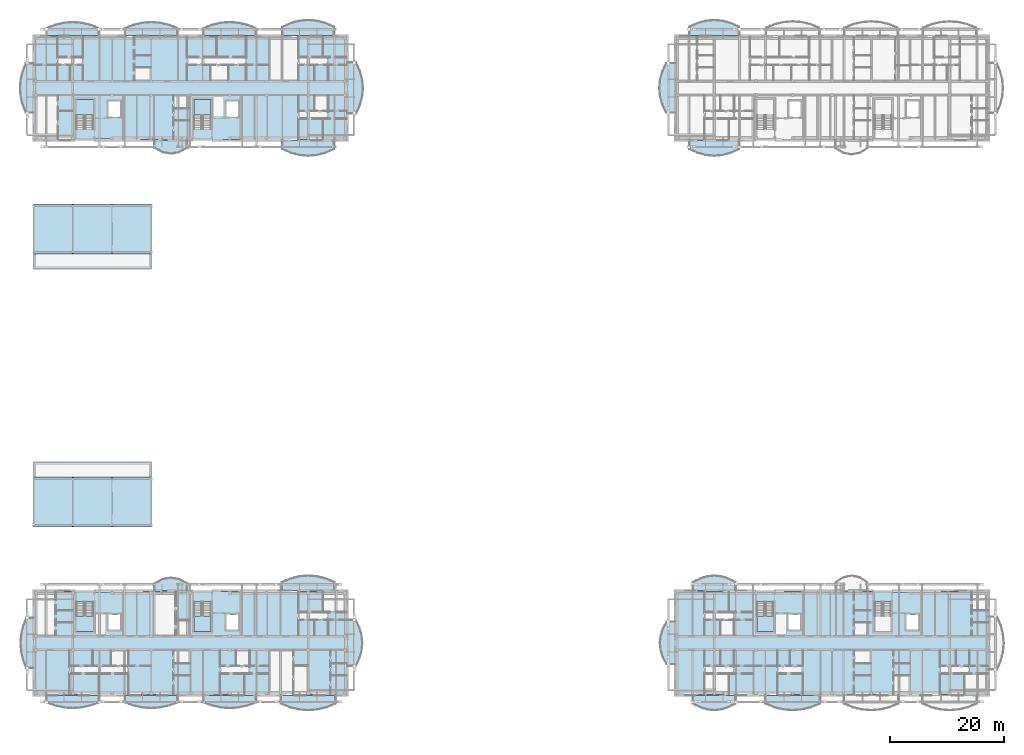
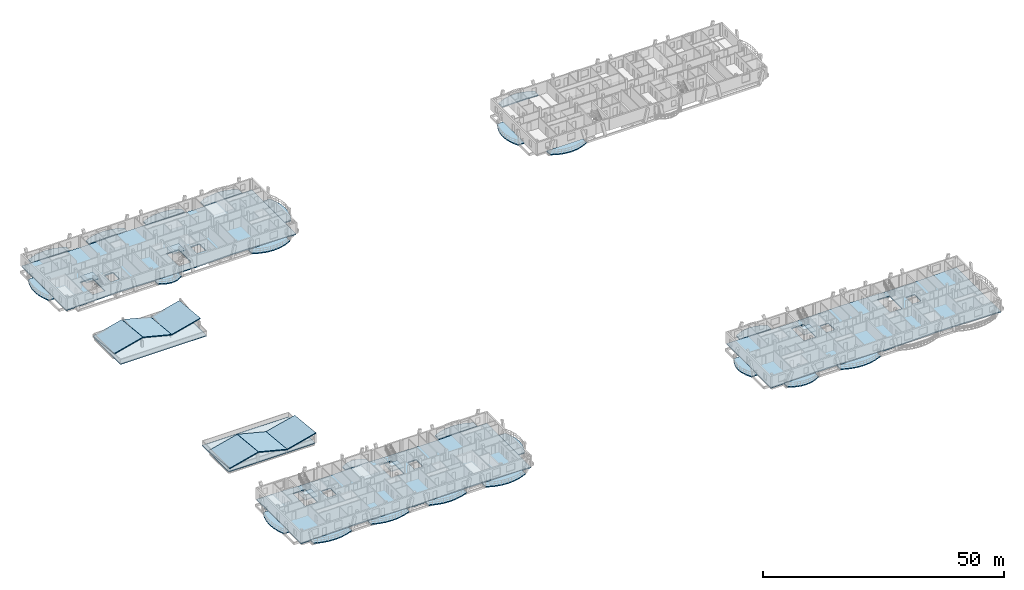
# One storey, part 9 of 50: 39 slabs, 5 elements without a shape of their own.
"""IFC4 building model written with IfcOpenShell, lengths in metres."""

from ifc_helpers import new_model, si_unit, direction, frame, origin, place, context, subcontext, project, spatial, polyline, outline, extrude, material, layer, layer_set, type_object, element, aggregate, save


model = new_model("IFC4")

# Units and contexts
model_context = context("Model", 3, precision=1e-05, world=origin(), true_north=direction((0.0, 1.0)))
body_context = subcontext(model_context, "Body", "Model", "MODEL_VIEW")
ifc_project = project(units=[si_unit("LENGTHUNIT", "METRE"), si_unit("AREAUNIT", "SQUARE_METRE"), si_unit("VOLUMEUNIT", "CUBIC_METRE"), si_unit("PLANEANGLEUNIT", "RADIAN"), si_unit("MASSUNIT", "GRAM", prefix="KILO")], contexts=[model_context])

# Site, building, storey
site_placement = place(None, origin())
site = spatial("IfcSite", under=ifc_project, at=site_placement, CompositionType="ELEMENT")
building_placement = place(site_placement, origin())
building = spatial("IfcBuilding", under=site, at=building_placement, Name="Zavelmont Quarter", CompositionType="ELEMENT")
storey_placement = place(building_placement, frame((0.0, 0.0, 11.199951171875)))
storey = spatial("IfcBuildingStorey", under=building, at=storey_placement, Name="L03", CompositionType="ELEMENT", Elevation=11.199951171875)

# Slabs
ifc_material_1 = material(Name="White architectural precast concrete C40/50", Category="concrete")
ifc_layer_1 = layer(ifc_material_1, 0.235107421875)
ifc_layer_set_1 = layer_set([ifc_layer_1], Name="White architectural precast concrete C40/50")
slab_type_1 = type_object("IfcSlabType", Name="SL-BL180", PredefinedType="FLOOR", material=ifc_layer_set_1)
slab_1_placement = place(storey_placement, frame((0.0, 0.0, -0.23486328125)))
element("IfcSlab", 1, at=slab_1_placement, inside=storey, type_object=slab_type_1, Name="L03 Block A street vase 2 balcony SL-BL180", PredefinedType="FLOOR", context=body_context, shape_type="SweptSolid", body=[
    extrude(outline(polyline([(16.102783203125, -0.02001953125), (16.102783203125, -1.2666015625), (17.63525390625, -1.819580078125), (19.16748046875, -2.1513671875), (20.699951171875, -2.261962890625), (22.232421875, -2.1513671875), (23.7646484375, -1.819580078125), (25.297119140625, -1.2666015625), (25.297119140625, -0.02001953125), (16.102783203125, -0.02001953125)])), origin(), (0.0, 0.0, 1.0), 0.23486328125),
])
slab_2_placement = place(storey_placement, frame((0.0, 0.0, -0.23486328125)))
element("IfcSlab", 2, at=slab_2_placement, inside=storey, type_object=slab_type_1, Name="L03 Block A boulevard vase balcony SL-BL180", PredefinedType="FLOOR", context=body_context, shape_type="SweptSolid", body=[
    extrude(outline(polyline([(-0.02001953125, 13.5830078125), (-1.2666015625, 13.5830078125), (-1.819580078125, 12.1220703125), (-2.1513671875, 10.660888671875), (-2.261962890625, 9.199951171875), (-2.1513671875, 7.739013671875), (-1.819580078125, 6.278076171875), (-1.2666015625, 4.81689453125), (-0.02001953125, 4.81689453125), (-0.02001953125, 13.5830078125)])), origin(), (0.0, 0.0, 1.0), 0.23486328125),
])
slab_3_placement = place(storey_placement, frame((0.0, 0.0, -0.23486328125)))
element("IfcSlab", 3, at=slab_3_placement, inside=storey, type_object=slab_type_1, Name="L03 Block B street vase 2 balcony SL-BL180", PredefinedType="FLOOR", context=body_context, shape_type="SweptSolid", body=[
    extrude(outline(polyline([(25.272705078125, 116.02001953125), (25.272705078125, 117.326171875), (23.74853515625, 117.90478515625), (22.22412109375, 118.252197265625), (20.699951171875, 118.367919921875), (19.17578125, 118.252197265625), (17.651611328125, 117.90478515625), (16.127197265625, 117.326171875), (16.127197265625, 116.02001953125), (25.272705078125, 116.02001953125)])), origin(), (0.0, 0.0, 1.0), 0.23486328125),
])
slab_4_placement = place(storey_placement, frame((0.0, 0.0, -0.23486328125)))
element("IfcSlab", 4, at=slab_4_placement, inside=storey, type_object=slab_type_1, Name="L03 Block B boulevard vase balcony SL-BL180", PredefinedType="FLOOR", context=body_context, shape_type="SweptSolid", body=[
    extrude(outline(polyline([(-0.02001953125, 111.130615234375), (-1.326171875, 111.130615234375), (-1.90478515625, 109.68701171875), (-2.252197265625, 108.243408203125), (-2.367919921875, 106.800048828125), (-2.252197265625, 105.3564453125), (-1.90478515625, 103.9130859375), (-1.326171875, 102.469482421875), (-0.02001953125, 102.469482421875), (-0.02001953125, 111.130615234375)])), origin(), (0.0, 0.0, 1.0), 0.23486328125),
])
slab_5_placement = place(storey_placement, frame((0.0, 0.0, -0.23486328125)))
element("IfcSlab", 5, at=slab_5_placement, inside=storey, type_object=slab_type_1, Name="L03 Block D street vase 2 balcony SL-BL180", PredefinedType="FLOOR", context=body_context, shape_type="SweptSolid", body=[
    extrude(outline(polyline([(128.707763671875, -0.02001953125), (128.707763671875, -1.473876953125), (130.30517578125, -2.1171875), (131.902587890625, -2.50341796875), (133.5, -2.632080078125), (135.097412109375, -2.50341796875), (136.69482421875, -2.1171875), (138.292236328125, -1.473876953125), (138.292236328125, -0.02001953125), (128.707763671875, -0.02001953125)])), origin(), (0.0, 0.0, 1.0), 0.23486328125),
])
ifc_layer_2 = layer(ifc_material_1, 0.2451171875)
ifc_layer_set_2 = layer_set([ifc_layer_2], Name="White architectural precast concrete C40/50")
slab_type_2 = type_object("IfcSlabType", Name="SL-BL200", PredefinedType="FLOOR", material=ifc_layer_set_2)
slab_6_placement = place(storey_placement, frame((0.0, 0.0, -0.244873046875)))
element("IfcSlab", 6, at=slab_6_placement, inside=storey, type_object=slab_type_2, Name="L03 Block A street vase 1 balcony SL-BL200", PredefinedType="FLOOR", context=body_context, shape_type="SweptSolid", body=[
    extrude(outline(polyline([(2.302978515625, -0.02001953125), (2.302978515625, -1.2666015625), (3.835205078125, -1.819580078125), (5.36767578125, -2.1513671875), (6.89990234375, -2.261962890625), (8.432373046875, -2.1513671875), (9.964599609375, -1.819580078125), (11.4970703125, -1.2666015625), (11.4970703125, -0.02001953125), (2.302978515625, -0.02001953125)])), origin(), (0.0, 0.0, 1.0), 0.244873046875),
])
slab_7_placement = place(storey_placement, frame((0.0, 0.0, -0.244873046875)))
element("IfcSlab", 7, at=slab_7_placement, inside=storey, type_object=slab_type_2, Name="L03 Block A street vase 4 balcony SL-BL200", PredefinedType="FLOOR", context=body_context, shape_type="SweptSolid", body=[
    extrude(outline(polyline([(43.5078125, -0.02001953125), (43.5078125, -1.473876953125), (45.10498046875, -2.1171875), (46.70263671875, -2.50341796875), (48.300048828125, -2.632080078125), (49.8974609375, -2.50341796875), (51.494873046875, -2.1171875), (53.09228515625, -1.473876953125), (53.09228515625, -0.02001953125), (43.5078125, -0.02001953125)])), origin(), (0.0, 0.0, 1.0), 0.244873046875),
])
slab_8_placement = place(storey_placement, frame((0.0, 0.0, -0.244873046875)))
element("IfcSlab", 8, at=slab_8_placement, inside=storey, type_object=slab_type_2, Name="L03 Block A courtyard central vase balcony SL-BL200", PredefinedType="FLOOR", context=body_context, shape_type="SweptSolid", body=[
    extrude(outline(polyline([(27.0, 18.419921875), (27.0, 19.666748046875), (25.574951171875, 20.4130859375), (24.14990234375, 20.662109375), (22.72509765625, 20.4130859375), (21.300048828125, 19.666748046875), (21.300048828125, 18.419921875), (27.0, 18.419921875)])), origin(), (0.0, 0.0, 1.0), 0.244873046875),
])
slab_9_placement = place(storey_placement, frame((0.0, 0.0, -0.244873046875)))
element("IfcSlab", 9, at=slab_9_placement, inside=storey, type_object=slab_type_2, Name="L03 Block B street vase 1 balcony SL-BL200", PredefinedType="FLOOR", context=body_context, shape_type="SweptSolid", body=[
    extrude(outline(polyline([(11.47265625, 116.02001953125), (11.47265625, 117.326171875), (9.948486328125, 117.90478515625), (8.42431640625, 118.252197265625), (6.89990234375, 118.367919921875), (5.375732421875, 118.252197265625), (3.8515625, 117.90478515625), (2.327392578125, 117.326171875), (2.327392578125, 116.02001953125), (11.47265625, 116.02001953125)])), origin(), (0.0, 0.0, 1.0), 0.244873046875),
])
slab_10_placement = place(storey_placement, frame((0.0, 0.0, -0.244873046875)))
element("IfcSlab", 10, at=slab_10_placement, inside=storey, type_object=slab_type_2, Name="L03 Block B street vase 4 balcony SL-BL200", PredefinedType="FLOOR", context=body_context, shape_type="SweptSolid", body=[
    extrude(outline(polyline([(52.843017578125, 116.02001953125), (52.843017578125, 117.535400390625), (51.32861328125, 118.205810546875), (49.814208984375, 118.60791015625), (48.300048828125, 118.741943359375), (46.78564453125, 118.60791015625), (45.271240234375, 118.205810546875), (43.757080078125, 117.535400390625), (43.757080078125, 116.02001953125), (52.843017578125, 116.02001953125)])), origin(), (0.0, 0.0, 1.0), 0.244873046875),
])
slab_11_placement = place(storey_placement, frame((0.0, 0.0, -0.244873046875)))
element("IfcSlab", 11, at=slab_11_placement, inside=storey, type_object=slab_type_2, Name="L03 Block B courtyard central vase balcony SL-BL200", PredefinedType="FLOOR", context=body_context, shape_type="SweptSolid", body=[
    extrude(outline(polyline([(21.300048828125, 97.580078125), (21.300048828125, 96.27392578125), (22.72509765625, 95.492431640625), (24.14990234375, 95.23193359375), (25.574951171875, 95.492431640625), (27.0, 96.27392578125), (27.0, 97.580078125), (21.300048828125, 97.580078125)])), origin(), (0.0, 0.0, 1.0), 0.244873046875),
])
slab_12_placement = place(storey_placement, frame((0.0, 0.0, -0.244873046875)))
element("IfcSlab", 12, at=slab_12_placement, inside=storey, type_object=slab_type_2, Name="L03 Block C street vase 1 balcony SL-BL200", PredefinedType="FLOOR", context=body_context, shape_type="SweptSolid", body=[
    extrude(outline(polyline([(124.052978515625, 116.02001953125), (124.052978515625, 117.534423828125), (122.601806640625, 118.2041015625), (121.15087890625, 118.60595703125), (119.699951171875, 118.739990234375), (118.2490234375, 118.60595703125), (116.798095703125, 118.2041015625), (115.34716796875, 117.534423828125), (115.34716796875, 116.02001953125), (124.052978515625, 116.02001953125)])), origin(), (0.0, 0.0, 1.0), 0.244873046875),
])
slab_13_placement = place(storey_placement, frame((0.0, 0.0, -0.244873046875)))
element("IfcSlab", 13, at=slab_13_placement, inside=storey, type_object=slab_type_2, Name="L03 Block D street vase 1 balcony SL-BL200", PredefinedType="FLOOR", context=body_context, shape_type="SweptSolid", body=[
    extrude(outline(polyline([(115.963623046875, -0.02001953125), (115.963623046875, -1.468994140625), (117.208984375, -2.110107421875), (118.45458984375, -2.494873046875), (119.699951171875, -2.623046875), (120.945556640625, -2.494873046875), (122.19091796875, -2.110107421875), (123.436279296875, -1.468994140625), (123.436279296875, -0.02001953125), (115.963623046875, -0.02001953125)])), origin(), (0.0, 0.0, 1.0), 0.244873046875),
])
ifc_layer_3 = layer(ifc_material_1, 0.2548828125)
ifc_layer_set_3 = layer_set([ifc_layer_3], Name="White architectural precast concrete C40/50")
slab_type_3 = type_object("IfcSlabType", Name="SL-BL220", PredefinedType="FLOOR", material=ifc_layer_set_3)
slab_14_placement = place(storey_placement, frame((0.0, 0.0, -0.2548828125)))
element("IfcSlab", 14, at=slab_14_placement, inside=storey, type_object=slab_type_3, Name="L03 Block A street vase 3 balcony SL-BL220", PredefinedType="FLOOR", context=body_context, shape_type="SweptSolid", body=[
    extrude(outline(polyline([(29.90283203125, -0.02001953125), (29.90283203125, -1.2666015625), (31.435302734375, -1.819580078125), (32.967529296875, -2.1513671875), (34.5, -2.261962890625), (36.032470703125, -2.1513671875), (37.564697265625, -1.819580078125), (39.09716796875, -1.2666015625), (39.09716796875, -0.02001953125), (29.90283203125, -0.02001953125)])), origin(), (0.0, 0.0, 1.0), 0.2548828125),
])
slab_15_placement = place(storey_placement, frame((0.0, 0.0, -0.2548828125)))
element("IfcSlab", 15, at=slab_15_placement, inside=storey, type_object=slab_type_3, Name="L03 Block A courtyard return vase balcony SL-BL220", PredefinedType="FLOOR", context=body_context, shape_type="SweptSolid", body=[
    extrude(outline(polyline([(55.219970703125, 5.14892578125), (56.673828125, 5.14892578125), (57.3173828125, 6.499267578125), (57.703369140625, 7.849609375), (57.83203125, 9.199951171875), (57.703369140625, 10.55029296875), (57.3173828125, 11.900634765625), (56.673828125, 13.2509765625), (55.219970703125, 13.2509765625), (55.219970703125, 5.14892578125)])), origin(), (0.0, 0.0, 1.0), 0.2548828125),
])
slab_16_placement = place(storey_placement, frame((0.0, 0.0, -0.2548828125)))
element("IfcSlab", 16, at=slab_16_placement, inside=storey, type_object=slab_type_3, Name="L03 Block A courtyard outer vase balcony SL-BL220", PredefinedType="FLOOR", context=body_context, shape_type="SweptSolid", body=[
    extrude(outline(polyline([(52.938720703125, 18.419921875), (52.938720703125, 19.873779296875), (51.392578125, 20.517333984375), (49.84619140625, 20.9033203125), (48.300048828125, 21.031982421875), (46.753662109375, 20.9033203125), (45.20751953125, 20.517333984375), (43.6611328125, 19.873779296875), (43.6611328125, 18.419921875), (52.938720703125, 18.419921875)])), origin(), (0.0, 0.0, 1.0), 0.2548828125),
])
slab_17_placement = place(storey_placement, frame((0.0, 0.0, -0.2548828125)))
element("IfcSlab", 17, at=slab_17_placement, inside=storey, type_object=slab_type_3, Name="L03 Block B street vase 3 balcony SL-BL220", PredefinedType="FLOOR", context=body_context, shape_type="SweptSolid", body=[
    extrude(outline(polyline([(39.07275390625, 116.02001953125), (39.07275390625, 117.326171875), (37.548583984375, 117.90478515625), (36.024169921875, 118.252197265625), (34.5, 118.367919921875), (32.975830078125, 118.252197265625), (31.451416015625, 117.90478515625), (29.92724609375, 117.326171875), (29.92724609375, 116.02001953125), (39.07275390625, 116.02001953125)])), origin(), (0.0, 0.0, 1.0), 0.2548828125),
])
slab_18_placement = place(storey_placement, frame((0.0, 0.0, -0.2548828125)))
element("IfcSlab", 18, at=slab_18_placement, inside=storey, type_object=slab_type_3, Name="L03 Block B courtyard return vase balcony SL-BL220", PredefinedType="FLOOR", context=body_context, shape_type="SweptSolid", body=[
    extrude(outline(polyline([(55.219970703125, 102.32958984375), (56.735595703125, 102.32958984375), (57.40576171875, 103.819580078125), (57.807861328125, 105.309814453125), (57.94189453125, 106.800048828125), (57.807861328125, 108.2900390625), (57.40576171875, 109.7802734375), (56.735595703125, 111.2705078125), (55.219970703125, 111.2705078125), (55.219970703125, 102.32958984375)])), origin(), (0.0, 0.0, 1.0), 0.2548828125),
])
slab_19_placement = place(storey_placement, frame((0.0, 0.0, -0.2548828125)))
element("IfcSlab", 19, at=slab_19_placement, inside=storey, type_object=slab_type_3, Name="L03 Block B courtyard outer vase balcony SL-BL220", PredefinedType="FLOOR", context=body_context, shape_type="SweptSolid", body=[
    extrude(outline(polyline([(43.757080078125, 97.580078125), (43.757080078125, 96.064453125), (45.271240234375, 95.394287109375), (46.78564453125, 94.9921875), (48.300048828125, 94.85791015625), (49.814208984375, 94.9921875), (51.32861328125, 95.394287109375), (52.843017578125, 96.064453125), (52.843017578125, 97.580078125), (43.757080078125, 97.580078125)])), origin(), (0.0, 0.0, 1.0), 0.2548828125),
])
slab_20_placement = place(storey_placement, frame((0.0, 0.0, -0.2548828125)))
element("IfcSlab", 20, at=slab_20_placement, inside=storey, type_object=slab_type_3, Name="L03 Block C courtyard return vase balcony SL-BL220", PredefinedType="FLOOR", context=body_context, shape_type="SweptSolid", body=[
    extrude(outline(polyline([(112.780029296875, 111.15283203125), (111.265625, 111.15283203125), (110.595703125, 109.701904296875), (110.194091796875, 108.2509765625), (110.06005859375, 106.800048828125), (110.194091796875, 105.34912109375), (110.595703125, 103.898193359375), (111.265625, 102.447021484375), (112.780029296875, 102.447021484375), (112.780029296875, 111.15283203125)])), origin(), (0.0, 0.0, 1.0), 0.2548828125),
])
slab_21_placement = place(storey_placement, frame((0.0, 0.0, -0.2548828125)))
element("IfcSlab", 21, at=slab_21_placement, inside=storey, type_object=slab_type_3, Name="L03 Block C courtyard outer vase balcony SL-BL220", PredefinedType="FLOOR", context=body_context, shape_type="SweptSolid", body=[
    extrude(outline(polyline([(115.34716796875, 97.580078125), (115.34716796875, 96.065673828125), (116.798095703125, 95.395751953125), (118.2490234375, 94.993896484375), (119.699951171875, 94.860107421875), (121.15087890625, 94.993896484375), (122.601806640625, 95.395751953125), (124.052978515625, 96.065673828125), (124.052978515625, 97.580078125), (115.34716796875, 97.580078125)])), origin(), (0.0, 0.0, 1.0), 0.2548828125),
])
slab_22_placement = place(storey_placement, frame((0.0, 0.0, -0.2548828125)))
element("IfcSlab", 22, at=slab_22_placement, inside=storey, type_object=slab_type_3, Name="L03 Block D courtyard return vase balcony SL-BL220", PredefinedType="FLOOR", context=body_context, shape_type="SweptSolid", body=[
    extrude(outline(polyline([(112.780029296875, 12.936279296875), (111.3310546875, 12.936279296875), (110.68994140625, 11.69091796875), (110.30517578125, 10.445556640625), (110.177001953125, 9.199951171875), (110.30517578125, 7.95458984375), (110.68994140625, 6.708984375), (111.3310546875, 5.463623046875), (112.780029296875, 5.463623046875), (112.780029296875, 12.936279296875)])), origin(), (0.0, 0.0, 1.0), 0.2548828125),
])
slab_23_placement = place(storey_placement, frame((0.0, 0.0, -0.2548828125)))
element("IfcSlab", 23, at=slab_23_placement, inside=storey, type_object=slab_type_3, Name="L03 Block D courtyard outer vase balcony SL-BL220", PredefinedType="FLOOR", context=body_context, shape_type="SweptSolid", body=[
    extrude(outline(polyline([(123.436279296875, 18.419921875), (123.436279296875, 19.868896484375), (122.19091796875, 20.510009765625), (120.945556640625, 20.894775390625), (119.699951171875, 21.02294921875), (118.45458984375, 20.894775390625), (117.208984375, 20.510009765625), (115.963623046875, 19.868896484375), (115.963623046875, 18.419921875), (123.436279296875, 18.419921875)])), origin(), (0.0, 0.0, 1.0), 0.2548828125),
])
ifc_material_2 = material(Name="Concrete C35/45", Category="concrete")
ifc_layer_4 = layer(ifc_material_2, 0.260009765625)
ifc_layer_set_4 = layer_set([ifc_layer_4], Name="Concrete C35/45")
slab_type_4 = type_object("IfcSlabType", Name="SL-FL260", PredefinedType="FLOOR", material=ifc_layer_set_4)
slab_24_placement = place(storey_placement, frame((0.0, 0.0, -0.260009765625)))
element("IfcSlab", 24, at=slab_24_placement, inside=storey, type_object=slab_type_4, Name="L03 Block A floor slab SL-FL260", PredefinedType="FLOOR", context=body_context, shape_type="SweptSolid", body=[
    extrude(outline(polyline([(0.0, 0.0), (3.449951171875, 0.041015625), (6.89990234375, 0.139892578125), (10.35009765625, 0.239013671875), (13.800048828125, 0.280029296875), (17.25, 0.239013671875), (20.699951171875, 0.139892578125), (24.14990234375, 0.041015625), (27.60009765625, 0.0), (31.050048828125, 0.041015625), (34.5, 0.139892578125), (37.949951171875, 0.239013671875), (41.39990234375, 0.280029296875), (44.85009765625, 0.239013671875), (48.300048828125, 0.139892578125), (51.75, 0.041015625), (55.199951171875, 0.0), (55.199951171875, 3.679931640625), (55.199951171875, 7.360107421875), (55.199951171875, 11.0400390625), (55.199951171875, 14.719970703125), (55.199951171875, 18.39990234375), (51.75, 18.35888671875), (48.300048828125, 18.260009765625), (44.85009765625, 18.160888671875), (41.39990234375, 18.1201171875), (37.949951171875, 18.160888671875), (34.5, 18.260009765625), (31.050048828125, 18.35888671875), (27.60009765625, 18.39990234375), (24.14990234375, 18.35888671875), (20.699951171875, 18.260009765625), (17.25, 18.160888671875), (13.800048828125, 18.1201171875), (10.35009765625, 18.160888671875), (6.89990234375, 18.260009765625), (3.449951171875, 18.35888671875), (0.0, 18.39990234375), (0.0, 14.719970703125), (0.0, 11.0400390625), (0.0, 7.360107421875), (0.0, 3.679931640625), (0.0, 0.0)]), holes=[polyline([(7.5, 16.425048828125), (7.5, 11.199951171875), (10.5, 11.199951171875), (10.5, 16.425048828125), (7.5, 16.425048828125)]), polyline([(13.14990234375, 11.5), (15.25, 11.5), (15.25, 14.25), (13.14990234375, 14.25), (13.14990234375, 11.5)]), polyline([(28.199951171875, 16.425048828125), (28.199951171875, 11.199951171875), (31.199951171875, 11.199951171875), (31.199951171875, 16.425048828125), (28.199951171875, 16.425048828125)]), polyline([(33.85009765625, 11.5), (35.949951171875, 11.5), (35.949951171875, 14.25), (33.85009765625, 14.25), (33.85009765625, 11.5)])]), origin(), (0.0, 0.0, 1.0), 0.260009765625),
])
slab_25_placement = place(storey_placement, frame((0.0, 0.0, -0.260009765625)))
element("IfcSlab", 25, at=slab_25_placement, inside=storey, type_object=slab_type_4, Name="L03 Block B floor slab SL-FL260", PredefinedType="FLOOR", context=body_context, shape_type="SweptSolid", body=[
    extrude(outline(polyline([(0.0, 97.60009765625), (3.449951171875, 97.64111328125), (6.89990234375, 97.739990234375), (10.35009765625, 97.839111328125), (13.800048828125, 97.8798828125), (17.25, 97.839111328125), (20.699951171875, 97.739990234375), (24.14990234375, 97.64111328125), (27.60009765625, 97.60009765625), (31.050048828125, 97.64111328125), (34.5, 97.739990234375), (37.949951171875, 97.839111328125), (41.39990234375, 97.8798828125), (44.85009765625, 97.839111328125), (48.300048828125, 97.739990234375), (51.75, 97.64111328125), (55.199951171875, 97.60009765625), (55.199951171875, 101.280029296875), (55.199951171875, 104.9599609375), (55.199951171875, 108.639892578125), (55.199951171875, 112.320068359375), (55.199951171875, 116.0), (51.75, 115.958984375), (48.300048828125, 115.860107421875), (44.85009765625, 115.760986328125), (41.39990234375, 115.719970703125), (37.949951171875, 115.760986328125), (34.5, 115.860107421875), (31.050048828125, 115.958984375), (27.60009765625, 116.0), (24.14990234375, 115.958984375), (20.699951171875, 115.860107421875), (17.25, 115.760986328125), (13.800048828125, 115.719970703125), (10.35009765625, 115.760986328125), (6.89990234375, 115.860107421875), (3.449951171875, 115.958984375), (0.0, 116.0), (0.0, 112.320068359375), (0.0, 108.639892578125), (0.0, 104.9599609375), (0.0, 101.280029296875), (0.0, 97.60009765625)]), holes=[polyline([(10.5, 99.574951171875), (10.5, 104.800048828125), (7.5, 104.800048828125), (7.5, 99.574951171875), (10.5, 99.574951171875)]), polyline([(13.14990234375, 101.75), (15.25, 101.75), (15.25, 104.5), (13.14990234375, 104.5), (13.14990234375, 101.75)]), polyline([(31.199951171875, 99.574951171875), (31.199951171875, 104.800048828125), (28.199951171875, 104.800048828125), (28.199951171875, 99.574951171875), (31.199951171875, 99.574951171875)]), polyline([(33.85009765625, 101.75), (35.949951171875, 101.75), (35.949951171875, 104.5), (33.85009765625, 104.5), (33.85009765625, 101.75)])]), origin(), (0.0, 0.0, 1.0), 0.260009765625),
])
slab_26_placement = place(storey_placement, frame((0.0, 0.0, -0.260009765625)))
element("IfcSlab", 26, at=slab_26_placement, inside=storey, type_object=slab_type_4, Name="L03 Block D floor slab SL-FL260", PredefinedType="FLOOR", context=body_context, shape_type="SweptSolid", body=[
    extrude(outline(polyline([(112.800048828125, 0.0), (116.25, 0.041015625), (119.699951171875, 0.139892578125), (123.14990234375, 0.239013671875), (126.60009765625, 0.280029296875), (130.050048828125, 0.239013671875), (133.5, 0.139892578125), (136.949951171875, 0.041015625), (140.39990234375, 0.0), (143.85009765625, 0.041015625), (147.300048828125, 0.139892578125), (150.75, 0.239013671875), (154.199951171875, 0.280029296875), (157.64990234375, 0.239013671875), (161.10009765625, 0.139892578125), (164.550048828125, 0.041015625), (168.0, 0.0), (168.0, 3.679931640625), (168.0, 7.360107421875), (168.0, 11.0400390625), (168.0, 14.719970703125), (168.0, 18.39990234375), (164.550048828125, 18.35888671875), (161.10009765625, 18.260009765625), (157.64990234375, 18.160888671875), (154.199951171875, 18.1201171875), (150.75, 18.160888671875), (147.300048828125, 18.260009765625), (143.85009765625, 18.35888671875), (140.39990234375, 18.39990234375), (136.949951171875, 18.35888671875), (133.5, 18.260009765625), (130.050048828125, 18.160888671875), (126.60009765625, 18.1201171875), (123.14990234375, 18.160888671875), (119.699951171875, 18.260009765625), (116.25, 18.35888671875), (112.800048828125, 18.39990234375), (112.800048828125, 14.719970703125), (112.800048828125, 11.0400390625), (112.800048828125, 7.360107421875), (112.800048828125, 3.679931640625), (112.800048828125, 0.0)]), holes=[polyline([(127.199951171875, 16.425048828125), (127.199951171875, 11.199951171875), (130.10009765625, 11.199951171875), (130.10009765625, 16.425048828125), (127.199951171875, 16.425048828125)]), polyline([(132.75, 11.5), (134.85009765625, 11.5), (134.85009765625, 14.25), (132.75, 14.25), (132.75, 11.5)]), polyline([(147.89990234375, 16.425048828125), (147.89990234375, 11.199951171875), (150.800048828125, 11.199951171875), (150.800048828125, 16.425048828125), (147.89990234375, 16.425048828125)]), polyline([(153.449951171875, 11.5), (155.550048828125, 11.5), (155.550048828125, 14.25), (153.449951171875, 14.25), (153.449951171875, 11.5)])]), origin(), (0.0, 0.0, 1.0), 0.260009765625),
])

# Stair, slab
stair_type_1 = type_object("IfcStairType", Name="STR-1400-1778", PredefinedType="HALF_TURN_STAIR", material=ifc_material_2)
stair_1_placement = place(storey_placement, origin())
stair_1 = element("IfcStair", 27, at=stair_1_placement, inside=storey, type_object=stair_type_1, Name="L03 protected stair ST01", PredefinedType="HALF_TURN_STAIR")
ifc_layer_5 = layer(ifc_material_2, 0.199951171875)
ifc_layer_set_5 = layer_set([ifc_layer_5], Name="Concrete C35/45")
slab_type_5 = type_object("IfcSlabType", Name="SL-LND200", PredefinedType="LANDING", material=ifc_layer_set_5)
slab_27_placement = place(storey_placement, frame((0.0, 0.0, 1.400146484375)))
slab_27 = element("IfcSlab", 28, at=slab_27_placement, type_object=slab_type_5, Name="ST01 landing 1", PredefinedType="LANDING", context=body_context, shape_type="SweptSolid", body=[
    extrude(outline(polyline([(7.5, 13.969970703125), (7.5, 11.199951171875), (10.5, 11.199951171875), (10.5, 13.969970703125), (7.5, 13.969970703125)])), origin(), (0.0, 0.0, 1.0), 0.199951171875),
])
aggregate(stair_1, [slab_27])

stair_2_placement = place(storey_placement, origin())
stair_2 = element("IfcStair", 29, at=stair_2_placement, inside=storey, type_object=stair_type_1, Name="L03 protected stair ST02", PredefinedType="HALF_TURN_STAIR")
slab_28_placement = place(storey_placement, frame((0.0, 0.0, 1.400146484375)))
slab_28 = element("IfcSlab", 30, at=slab_28_placement, type_object=slab_type_5, Name="ST02 landing 1", PredefinedType="LANDING", context=body_context, shape_type="SweptSolid", body=[
    extrude(outline(polyline([(28.199951171875, 13.969970703125), (28.199951171875, 11.199951171875), (31.199951171875, 11.199951171875), (31.199951171875, 13.969970703125), (28.199951171875, 13.969970703125)])), origin(), (0.0, 0.0, 1.0), 0.199951171875),
])
aggregate(stair_2, [slab_28])

stair_3_placement = place(storey_placement, origin())
stair_3 = element("IfcStair", 31, at=stair_3_placement, inside=storey, type_object=stair_type_1, Name="L03 protected stair ST03", PredefinedType="HALF_TURN_STAIR")
slab_29_placement = place(storey_placement, frame((0.0, 0.0, 1.400146484375)))
slab_29 = element("IfcSlab", 32, at=slab_29_placement, type_object=slab_type_5, Name="ST03 landing 1", PredefinedType="LANDING", context=body_context, shape_type="SweptSolid", body=[
    extrude(outline(polyline([(10.5, 102.030029296875), (10.5, 104.800048828125), (7.5, 104.800048828125), (7.5, 102.030029296875), (10.5, 102.030029296875)])), origin(), (0.0, 0.0, 1.0), 0.199951171875),
])
aggregate(stair_3, [slab_29])

stair_4_placement = place(storey_placement, origin())
stair_4 = element("IfcStair", 33, at=stair_4_placement, inside=storey, type_object=stair_type_1, Name="L03 protected stair ST04", PredefinedType="HALF_TURN_STAIR")
slab_30_placement = place(storey_placement, frame((0.0, 0.0, 1.400146484375)))
slab_30 = element("IfcSlab", 34, at=slab_30_placement, type_object=slab_type_5, Name="ST04 landing 1", PredefinedType="LANDING", context=body_context, shape_type="SweptSolid", body=[
    extrude(outline(polyline([(31.199951171875, 102.030029296875), (31.199951171875, 104.800048828125), (28.199951171875, 104.800048828125), (28.199951171875, 102.030029296875), (31.199951171875, 102.030029296875)])), origin(), (0.0, 0.0, 1.0), 0.199951171875),
])
aggregate(stair_4, [slab_30])

stair_type_2 = type_object("IfcStairType", Name="STR-1350-1778", PredefinedType="HALF_TURN_STAIR", material=ifc_material_2)
stair_5_placement = place(storey_placement, origin())
stair_5 = element("IfcStair", 35, at=stair_5_placement, inside=storey, type_object=stair_type_2, Name="L03 protected stair ST07", PredefinedType="HALF_TURN_STAIR")
slab_31_placement = place(storey_placement, frame((0.0, 0.0, 1.400146484375)))
slab_31 = element("IfcSlab", 36, at=slab_31_placement, type_object=slab_type_5, Name="ST07 landing 1", PredefinedType="LANDING", context=body_context, shape_type="SweptSolid", body=[
    extrude(outline(polyline([(127.199951171875, 13.969970703125), (127.199951171875, 11.199951171875), (130.10009765625, 11.199951171875), (130.10009765625, 13.969970703125), (127.199951171875, 13.969970703125)])), origin(), (0.0, 0.0, 1.0), 0.199951171875),
])
aggregate(stair_5, [slab_31])

# Slabs
ifc_layer_6 = layer(ifc_material_2, 0.2099609375)
ifc_layer_set_6 = layer_set([ifc_layer_6], Name="Concrete C35/45")
slab_type_6 = type_object("IfcSlabType", Name="SL-RF210", PredefinedType="ROOF", material=ifc_layer_set_6)
slab_32_placement = place(storey_placement, frame((0.0, 0.0, -0.2099609375)))
element("IfcSlab", 37, at=slab_32_placement, inside=storey, type_object=slab_type_6, Name="L03 South Terrace Lounge roof slab SL-RF210", PredefinedType="ROOF", context=body_context, shape_type="SweptSolid", body=[
    extrude(outline(polyline([(0.0, 30.0), (20.699951171875, 30.0), (20.699951171875, 41.0), (0.0, 41.0), (0.0, 30.0)])), origin(), (0.0, 0.0, 1.0), 0.2099609375),
])
slab_33_placement = place(storey_placement, frame((0.0, 0.0, -0.2099609375)))
element("IfcSlab", 38, at=slab_33_placement, inside=storey, type_object=slab_type_6, Name="L03 North Garden Study roof slab SL-RF210", PredefinedType="ROOF", context=body_context, shape_type="SweptSolid", body=[
    extrude(outline(polyline([(0.0, 75.0), (20.699951171875, 75.0), (20.699951171875, 86.0), (0.0, 86.0), (0.0, 75.0)])), origin(), (0.0, 0.0, 1.0), 0.2099609375),
])
ifc_layer_7 = layer(ifc_material_2, 0.2099609375)
ifc_layer_set_7 = layer_set([ifc_layer_7], Name="Concrete C35/45")
slab_type_7 = type_object("IfcSlabType", Name="WC01", PredefinedType="ROOF", material=ifc_layer_set_7)
slab_34_placement = place(storey_placement, frame((0.0, 77.60009765625, 1.050048828125), z_axis=(-0.244734568032, 0.095937143074, 0.964832138659), x_axis=(0.969303151977, 0.0, 0.245868663248)))
element("IfcSlab", 39, at=slab_34_placement, inside=storey, type_object=slab_type_7, Name="Sloped clerestory roof WC01", PredefinedType="ROOF", context=body_context, shape_type="SweptSolid", body=[
    extrude(outline(polyline([(0.0, 0.0), (7.097761725490707, 2.7755575615628914e-17), (6.882626645148611, 8.840582810841893), (-0.2151350803420964, 8.840582810841893), (0.0, 0.0)])), origin(), (0.0, 0.0, -1.0), 0.2099609375),
])
ifc_layer_8 = layer(ifc_material_2, 0.2099609375)
ifc_layer_set_8 = layer_set([ifc_layer_8], Name="Concrete C35/45")
slab_type_8 = type_object("IfcSlabType", Name="WC02", PredefinedType="ROOF", material=ifc_layer_set_8)
slab_35_placement = place(storey_placement, frame((6.919921875, 77.60009765625, 2.795166015625), z_axis=(0.244726403775, 0.095937346973, 0.964834189253), x_axis=(0.969305231211, 0.0, -0.245860466012)))
element("IfcSlab", 40, at=slab_35_placement, inside=storey, type_object=slab_type_8, Name="Sloped clerestory roof WC02", PredefinedType="ROOF", context=body_context, shape_type="SweptSolid", body=[
    extrude(outline(polyline([(0.0, 0.0), (7.097998372021863, 0.0), (7.313126279782645, 8.840582985383342), (0.21512790776078203, 8.840582985383344), (0.0, 0.0)])), origin(), (0.0, 0.0, -1.0), 0.2099609375),
])
ifc_layer_9 = layer(ifc_material_2, 0.2099609375)
ifc_layer_set_9 = layer_set([ifc_layer_9], Name="Concrete C35/45")
slab_type_9 = type_object("IfcSlabType", Name="WC03", PredefinedType="ROOF", material=ifc_layer_set_9)
slab_36_placement = place(storey_placement, frame((13.800048828125, 77.60009765625, 1.050048828125), z_axis=(-0.244708901604, 0.095937784057, 0.96483858498), x_axis=(0.969309688331, 0.0, 0.245842893141)))
element("IfcSlab", 41, at=slab_36_placement, inside=storey, type_object=slab_type_9, Name="Sloped clerestory roof WC03", PredefinedType="ROOF", context=body_context, shape_type="SweptSolid", body=[
    extrude(outline(polyline([(0.0, 0.0), (7.118367253330412, 0.0), (6.903254721831901, 8.840583359537948), (-0.21511253149850998, 8.840583359537948), (0.0, 0.0)])), origin(), (0.0, 0.0, -1.0), 0.2099609375),
])
ifc_layer_10 = layer(ifc_material_2, 0.2099609375)
ifc_layer_set_10 = layer_set([ifc_layer_10], Name="Concrete C35/45")
slab_type_10 = type_object("IfcSlabType", Name="WS01", PredefinedType="ROOF", material=ifc_layer_set_10)
slab_37_placement = place(storey_placement, frame((0.0, 29.60009765625, 1.050048828125), z_axis=(-0.244734568032, 0.095937143074, 0.964832138659), x_axis=(0.969303151977, 0.0, 0.245868663248)))
element("IfcSlab", 42, at=slab_37_placement, inside=storey, type_object=slab_type_10, Name="Sloped clerestory roof WS01", PredefinedType="ROOF", context=body_context, shape_type="SweptSolid", body=[
    extrude(outline(polyline([(0.0, 0.0), (7.097761725490707, 2.7755575615628914e-17), (6.882626645148611, 8.840582810841893), (-0.2151350803420964, 8.840582810841893), (0.0, 0.0)])), origin(), (0.0, 0.0, -1.0), 0.2099609375),
])
ifc_layer_11 = layer(ifc_material_2, 0.2099609375)
ifc_layer_set_11 = layer_set([ifc_layer_11], Name="Concrete C35/45")
slab_type_11 = type_object("IfcSlabType", Name="WS02", PredefinedType="ROOF", material=ifc_layer_set_11)
slab_38_placement = place(storey_placement, frame((6.919921875, 29.60009765625, 2.795166015625), z_axis=(0.244726403775, 0.095937346973, 0.964834189253), x_axis=(0.969305231211, 0.0, -0.245860466012)))
element("IfcSlab", 43, at=slab_38_placement, inside=storey, type_object=slab_type_11, Name="Sloped clerestory roof WS02", PredefinedType="ROOF", context=body_context, shape_type="SweptSolid", body=[
    extrude(outline(polyline([(0.0, 0.0), (7.097998372021863, 0.0), (7.313126279782645, 8.840582985383342), (0.21512790776078203, 8.840582985383344), (0.0, 0.0)])), origin(), (0.0, 0.0, -1.0), 0.2099609375),
])
ifc_layer_12 = layer(ifc_material_2, 0.2099609375)
ifc_layer_set_12 = layer_set([ifc_layer_12], Name="Concrete C35/45")
slab_type_12 = type_object("IfcSlabType", Name="WS03", PredefinedType="ROOF", material=ifc_layer_set_12)
slab_39_placement = place(storey_placement, frame((13.800048828125, 29.60009765625, 1.050048828125), z_axis=(-0.244708901604, 0.095937784057, 0.96483858498), x_axis=(0.969309688331, 0.0, 0.245842893141)))
element("IfcSlab", 44, at=slab_39_placement, inside=storey, type_object=slab_type_12, Name="Sloped clerestory roof WS03", PredefinedType="ROOF", context=body_context, shape_type="SweptSolid", body=[
    extrude(outline(polyline([(0.0, 0.0), (7.118367253330412, 0.0), (6.903254721831901, 8.840583359537948), (-0.21511253149850998, 8.840583359537948), (0.0, 0.0)])), origin(), (0.0, 0.0, -1.0), 0.2099609375),
])

save(model, "model.ifc")
